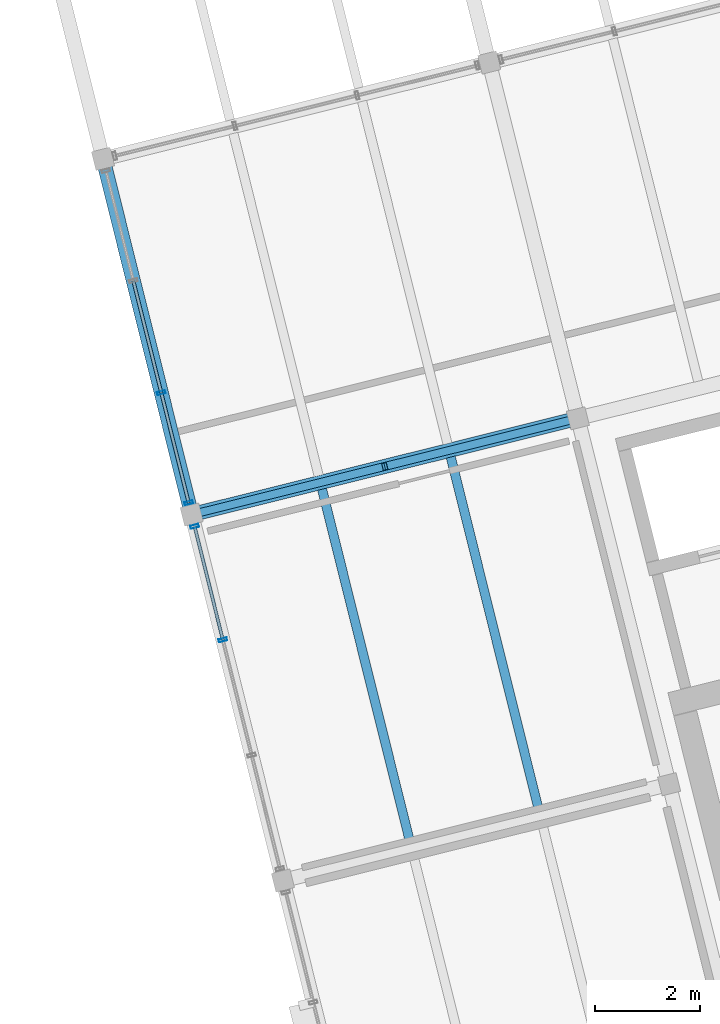
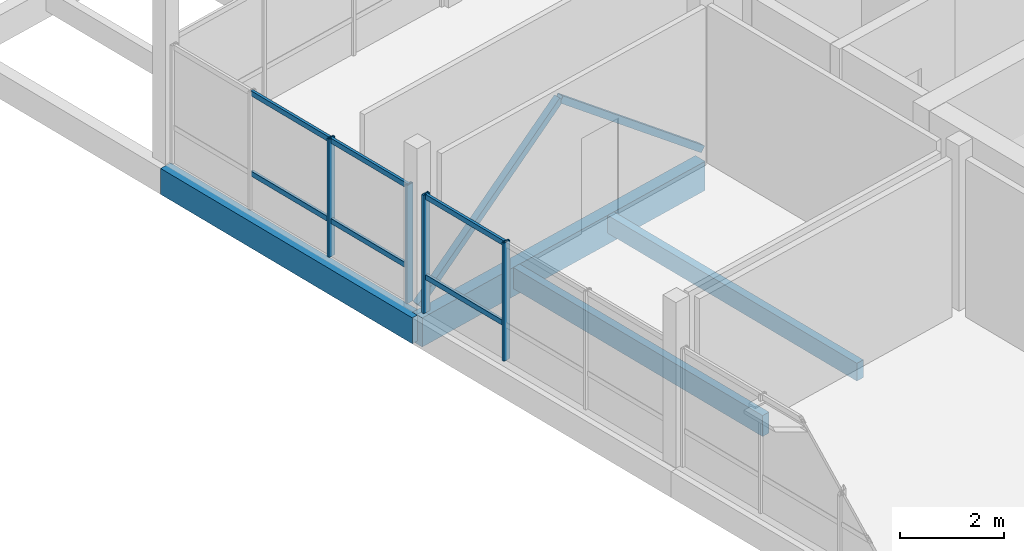
# One storey, part 8 of 28: 12 members, 4 beams, 2 elements without a shape of their own.
"""IFC4 building model written with IfcOpenShell, lengths in metres."""

from ifc_helpers import new_model, si_unit, direction, frame, origin, origin_2d, place, context, subcontext, project, spatial, rectangle, hollow_rectangle, extrude, material, layer, layer_set, material_profile, profile_set, type_object, element, aggregate, save


model = new_model("IFC4")

# Units and contexts
model_context = context("Model", 3, precision=1e-05, world=origin(), true_north=direction((0.0, 1.0)))
body_context = subcontext(model_context, "Body", "Model", "MODEL_VIEW")
ifc_project = project(units=[si_unit("LENGTHUNIT", "METRE"), si_unit("AREAUNIT", "SQUARE_METRE"), si_unit("VOLUMEUNIT", "CUBIC_METRE"), si_unit("PLANEANGLEUNIT", "RADIAN"), si_unit("MASSUNIT", "GRAM", prefix="KILO")], contexts=[model_context])

# Site, building, storey
site_placement = place(None, origin())
site = spatial("IfcSite", under=ifc_project, at=site_placement, CompositionType="ELEMENT")
building_placement = place(site_placement, origin())
building = spatial("IfcBuilding", under=site, at=building_placement, Name="Meriwether Solvik Hall", CompositionType="ELEMENT")
storey_placement = place(building_placement, frame((0.0, 0.0, 45.60009765625)))
storey = spatial("IfcBuildingStorey", under=building, at=storey_placement, Name="L11", CompositionType="ELEMENT", Elevation=45.60009765625)

# Beams
ifc_material_1 = material(Name="Glulam Douglas-Fir 24F-V8 GL28h", Category="wood")
ifc_material_profile_1 = material_profile(ifc_material_1, rectangle(XDim=0.27294921875, YDim=0.610107421875, at=origin_2d()), Name="GLB-273X610")
ifc_profile_set_1 = profile_set([ifc_material_profile_1], Name="Glulam Douglas-Fir 24F-V8 GL28h")
beam_type_1 = type_object("IfcBeamType", Name="BM-GL-273X610", PredefinedType="SPANDREL", material=ifc_profile_set_1)
beam_1_placement = place(storey_placement, frame((63.51953125, 61.576171875, -0.505126953125), z_axis=(-0.241911879182, 0.970298223594, 0.0), x_axis=(-0.970298223594, -0.241911879182, 0.0)))
element("IfcBeam", 1, at=beam_1_placement, inside=storey, type_object=beam_type_1, Name="Tower Girder T1:TD-TE (L11)", PredefinedType="SPANDREL", context=body_context, shape_type="SweptSolid", body=[
    extrude(rectangle(XDim=0.27294921875, YDim=0.610107421875, at=origin_2d()), origin(), (0.0, 0.0, 1.0), 7.0),
])
ifc_material_2 = material(Name="Glulam Douglas-Fir 24F-V8 GL28h", Category="wood")
ifc_material_profile_2 = material_profile(ifc_material_2, rectangle(XDim=0.27294921875, YDim=0.68505859375, at=origin_2d()), Name="GLB-273X685")
ifc_profile_set_2 = profile_set([ifc_material_profile_2], Name="Glulam Douglas-Fir 24F-V8 GL28h")
beam_type_2 = type_object("IfcBeamType", Name="BM-GL-273X685", PredefinedType="BEAM", material=ifc_profile_set_2)
beam_2_placement = place(storey_placement, frame((63.51953125, 61.576171875, -0.54248046875), z_axis=(0.970295366785, 0.241923337436, 0.0), x_axis=(-0.241923337436, 0.970295366785, 0.0)))
element("IfcBeam", 2, at=beam_2_placement, inside=storey, type_object=beam_type_2, Name="Tower Girder TD:T1-T2 (L11)", PredefinedType="BEAM", context=body_context, shape_type="SweptSolid", body=[
    extrude(rectangle(XDim=0.27294921875, YDim=0.68505859375, at=origin_2d()), origin(), (0.0, 0.0, 1.0), 7.60009765625),
])

# Curtain wall, members
ifc_material_3 = material(Name="Thermally Broken Anodised Aluminium 6063-T6 and Low-E Glass", Category="aluminium")
ifc_layer_1 = layer(ifc_material_3, 0.179931640625)
ifc_layer_set_1 = layer_set([ifc_layer_1], Name="Thermally Broken Anodised Aluminium 6063-T6 and Low-E Glass")
curtain_wall_type_1 = type_object("IfcCurtainWallType", Name="CW-UNIT-G", PredefinedType="USERDEFINED", material=ifc_layer_set_1)
curtain_wall_1_placement = place(storey_placement, origin())
curtain_wall_1 = element("IfcCurtainWall", 3, at=curtain_wall_1_placement, inside=storey, type_object=curtain_wall_type_1, Name="Curtain Wall E3_B2 (L11)", ObjectType="UNITISED CURTAIN WALL", PredefinedType="USERDEFINED")
ifc_material_4 = material(Name="Anodised Aluminium 6063-T6", Category="aluminium")
ifc_material_profile_3 = material_profile(ifc_material_4, hollow_rectangle(XDim=0.06005859375, YDim=0.159912109375, WallThickness=0.00390625, at=origin_2d()), Name="CWM-60X160")
ifc_profile_set_3 = profile_set([ifc_material_profile_3], Name="Anodised Aluminium 6063-T6")
member_type_1 = type_object("IfcMemberType", Name="CW-MUL-60X160", PredefinedType="MULLION", material=ifc_profile_set_3)
member_1_placement = place(storey_placement, frame((64.115966796875, 59.1845703125, 0.0), z_axis=(0.0, 0.0, 1.0), x_axis=(-0.241921897937, 0.970295725693, 0.0)))
member_1 = element("IfcMember", 4, at=member_1_placement, type_object=member_type_1, Name="Curtain Wall Mullion 3", PredefinedType="MULLION", context=body_context, shape_type="SweptSolid", body=[
    extrude(hollow_rectangle(XDim=0.06005859375, YDim=0.159912109375, WallThickness=0.00390625, at=origin_2d()), origin(), (0.0, 0.0, 1.0), 2.789794921875),
])
member_2_placement = place(storey_placement, frame((63.575927734375, 61.3505859375, 0.0), z_axis=(0.0, 0.0, 1.0), x_axis=(-0.241921897937, 0.970295725693, 0.0)))
member_2 = element("IfcMember", 5, at=member_2_placement, type_object=member_type_1, Name="Curtain Wall Mullion 4", PredefinedType="MULLION", context=body_context, shape_type="SweptSolid", body=[
    extrude(hollow_rectangle(XDim=0.06005859375, YDim=0.159912109375, WallThickness=0.00390625, at=origin_2d()), origin(), (0.0, 0.0, 1.0), 2.789794921875),
])

ifc_material_5 = material(Name="Thermally Broken Anodised Aluminium 6063-T6 and Low-E Glass", Category="aluminium")
ifc_layer_2 = layer(ifc_material_5, 0.179931640625)
ifc_layer_set_2 = layer_set([ifc_layer_2], Name="Thermally Broken Anodised Aluminium 6063-T6 and Low-E Glass")
curtain_wall_type_2 = type_object("IfcCurtainWallType", Name="CW-UNIT-A", PredefinedType="USERDEFINED", material=ifc_layer_set_2)
curtain_wall_2_placement = place(storey_placement, origin())
curtain_wall_2 = element("IfcCurtainWall", 6, at=curtain_wall_2_placement, inside=storey, type_object=curtain_wall_type_2, Name="Curtain Wall E3_B3 (L11)", ObjectType="UNITISED CURTAIN WALL", PredefinedType="USERDEFINED")
member_3_placement = place(storey_placement, frame((63.46337890625, 61.8017578125, 0.0), z_axis=(0.0, 0.0, 1.0), x_axis=(-0.241921804422, 0.970295749009, 0.0)))
member_3 = element("IfcMember", 7, at=member_3_placement, type_object=member_type_1, Name="Curtain Wall Mullion 1", PredefinedType="MULLION", context=body_context, shape_type="SweptSolid", body=[
    extrude(hollow_rectangle(XDim=0.06005859375, YDim=0.159912109375, WallThickness=0.00390625, at=origin_2d()), origin(), (0.0, 0.0, 1.0), 2.789794921875),
])
member_4_placement = place(storey_placement, frame((62.939453125, 63.903076171875, 0.0), z_axis=(0.0, 0.0, 1.0), x_axis=(-0.241921804422, 0.970295749009, 0.0)))
member_4 = element("IfcMember", 8, at=member_4_placement, type_object=member_type_1, Name="Curtain Wall Mullion 2", PredefinedType="MULLION", context=body_context, shape_type="SweptSolid", body=[
    extrude(hollow_rectangle(XDim=0.06005859375, YDim=0.159912109375, WallThickness=0.00390625, at=origin_2d()), origin(), (0.0, 0.0, 1.0), 2.789794921875),
])

# Member
ifc_material_6 = material(Name="Anodised Aluminium 6063-T6", Category="aluminium")
ifc_material_profile_4 = material_profile(ifc_material_6, hollow_rectangle(XDim=0.06005859375, YDim=0.1201171875, WallThickness=0.00390625, at=origin_2d()), Name="CWT-60X120")
ifc_profile_set_4 = profile_set([ifc_material_profile_4], Name="Anodised Aluminium 6063-T6")
member_type_2 = type_object("IfcMemberType", Name="CW-TRN-60X120", PredefinedType="USERDEFINED", material=ifc_profile_set_4)
member_5_placement = place(storey_placement, frame((64.115966796875, 59.1845703125, 0.8369140625), z_axis=(-0.241917978668, 0.970296702868, 0.0), x_axis=(-0.970296702868, -0.241917978668, 0.0)))
member_5 = element("IfcMember", 9, at=member_5_placement, type_object=member_type_2, Name="Curtain Wall Transom 3-sill", ObjectType="TRANSOM", PredefinedType="USERDEFINED", context=body_context, shape_type="SweptSolid", body=[
    extrude(hollow_rectangle(XDim=0.06005859375, YDim=0.1201171875, WallThickness=0.00390625, at=origin_2d()), origin(), (0.0, 0.0, 1.0), 2.232421875),
])

member_6_placement = place(storey_placement, frame((64.115966796875, 59.1845703125, 2.72998046875), z_axis=(-0.241917978668, 0.970296702868, 0.0), x_axis=(-0.970296702868, -0.241917978668, 0.0)))
member_6 = element("IfcMember", 10, at=member_6_placement, type_object=member_type_2, Name="Curtain Wall Transom 3-head", ObjectType="TRANSOM", PredefinedType="USERDEFINED", context=body_context, shape_type="SweptSolid", body=[
    extrude(hollow_rectangle(XDim=0.06005859375, YDim=0.1201171875, WallThickness=0.00390625, at=origin_2d()), origin(), (0.0, 0.0, 1.0), 2.232421875),
])

aggregate(curtain_wall_1, [member_1, member_2, member_5, member_6])

member_7_placement = place(storey_placement, frame((63.46337890625, 61.8017578125, 0.8369140625), z_axis=(-0.241925491414, 0.970294829732, 0.0), x_axis=(-0.970294829732, -0.241925491414, 0.0)))
member_7 = element("IfcMember", 11, at=member_7_placement, type_object=member_type_2, Name="Curtain Wall Transom 1-sill", ObjectType="TRANSOM", PredefinedType="USERDEFINED", context=body_context, shape_type="SweptSolid", body=[
    extrude(hollow_rectangle(XDim=0.06005859375, YDim=0.1201171875, WallThickness=0.00390625, at=origin_2d()), origin(), (0.0, 0.0, 1.0), 2.16552734375),
])

member_8_placement = place(storey_placement, frame((63.46337890625, 61.8017578125, 2.72998046875), z_axis=(-0.241925491414, 0.970294829732, 0.0), x_axis=(-0.970294829732, -0.241925491414, 0.0)))
member_8 = element("IfcMember", 12, at=member_8_placement, type_object=member_type_2, Name="Curtain Wall Transom 1-head", ObjectType="TRANSOM", PredefinedType="USERDEFINED", context=body_context, shape_type="SweptSolid", body=[
    extrude(hollow_rectangle(XDim=0.06005859375, YDim=0.1201171875, WallThickness=0.00390625, at=origin_2d()), origin(), (0.0, 0.0, 1.0), 2.16552734375),
])

member_9_placement = place(storey_placement, frame((62.939453125, 63.903076171875, 0.8369140625), z_axis=(-0.241962089235, 0.970285703993, 0.0), x_axis=(-0.970285703993, -0.241962089235, 0.0)))
member_9 = element("IfcMember", 13, at=member_9_placement, type_object=member_type_2, Name="Curtain Wall Transom 2-sill", ObjectType="TRANSOM", PredefinedType="USERDEFINED", context=body_context, shape_type="SweptSolid", body=[
    extrude(hollow_rectangle(XDim=0.06005859375, YDim=0.1201171875, WallThickness=0.00390625, at=origin_2d()), origin(), (0.0, 0.0, 1.0), 2.20361328125),
])

member_10_placement = place(storey_placement, frame((62.939453125, 63.903076171875, 2.72998046875), z_axis=(-0.241962089235, 0.970285703993, 0.0), x_axis=(-0.970285703993, -0.241962089235, 0.0)))
member_10 = element("IfcMember", 14, at=member_10_placement, type_object=member_type_2, Name="Curtain Wall Transom 2-head", ObjectType="TRANSOM", PredefinedType="USERDEFINED", context=body_context, shape_type="SweptSolid", body=[
    extrude(hollow_rectangle(XDim=0.06005859375, YDim=0.1201171875, WallThickness=0.00390625, at=origin_2d()), origin(), (0.0, 0.0, 1.0), 2.20361328125),
])

aggregate(curtain_wall_2, [member_3, member_4, member_7, member_8, member_9, member_10])

# Beams
ifc_material_7 = material(Name="Glulam Douglas-Fir 24F-V8 GL28h", Category="wood")
ifc_material_profile_5 = material_profile(ifc_material_7, rectangle(XDim=0.175048828125, YDim=0.419921875, at=origin_2d()), Name="GLJ-175X420")
ifc_profile_set_5 = profile_set([ifc_material_profile_5], Name="Glulam Douglas-Fir 24F-V8 GL28h")
beam_type_3 = type_object("IfcBeamType", Name="JST-GL-175X420", PredefinedType="JOIST", material=ifc_profile_set_5)
beam_3_placement = place(storey_placement, frame((70.145751953125, 55.943359375, -0.41015625), z_axis=(-0.241922788949, 0.970295503539, 0.0), x_axis=(-0.970295503539, -0.241922788949, 0.0)))
element("IfcBeam", 15, at=beam_3_placement, inside=storey, type_object=beam_type_3, Name="Glulam Floor Joist T1/TC-J2 (L11)", PredefinedType="JOIST", context=body_context, shape_type="SweptSolid", body=[
    extrude(rectangle(XDim=0.175048828125, YDim=0.419921875, at=origin_2d()), origin(), (0.0, 0.0, 1.0), 6.93701171875),
])
ifc_material_8 = material(Name="Glulam Douglas-Fir 24F-V8 GL28h", Category="wood")
ifc_material_profile_6 = material_profile(ifc_material_8, rectangle(XDim=0.175048828125, YDim=0.4951171875, at=origin_2d()), Name="GLJ-175X495")
ifc_profile_set_6 = profile_set([ifc_material_profile_6], Name="Glulam Douglas-Fir 24F-V8 GL28h")
beam_type_4 = type_object("IfcBeamType", Name="JST-GL-175X495", PredefinedType="JOIST", material=ifc_profile_set_6)
beam_4_placement = place(storey_placement, frame((67.687744140625, 55.33056640625, -0.447509765625), z_axis=(-0.241922788949, 0.970295503539, 0.0), x_axis=(-0.970295503539, -0.241922788949, 0.0)))
element("IfcBeam", 16, at=beam_4_placement, inside=storey, type_object=beam_type_4, Name="Glulam Floor Joist T1/TC-J1 (L11)", PredefinedType="JOIST", context=body_context, shape_type="SweptSolid", body=[
    extrude(rectangle(XDim=0.175048828125, YDim=0.4951171875, at=origin_2d()), origin(), (0.0, 0.0, 1.0), 6.93701171875),
])

# Members
ifc_material_9 = material(Name="Steel A500 Grade C", Category="steel")
ifc_material_profile_7 = material_profile(ifc_material_9, hollow_rectangle(XDim=0.152099609375, YDim=0.152099609375, WallThickness=0.009521484375, at=origin_2d()), Name="HSS152X152X9.5")
ifc_profile_set_7 = profile_set([ifc_material_profile_7], Name="Steel A500 Grade C")
member_type_3 = type_object("IfcMemberType", Name="MEM-BR-HSS152", PredefinedType="BRACE", material=ifc_profile_set_7)
member_11_placement = place(storey_placement, frame((63.51953125, 61.576171875, 0.0498046875), z_axis=(0.759126618737, 0.18929158751, 0.622812549346), x_axis=(-0.241946039438, 0.970289706222, 0.0)))
element("IfcMember", 17, at=member_11_placement, inside=storey, type_object=member_type_3, Name="Tower Chevron Brace L11-B2A", PredefinedType="BRACE", context=body_context, shape_type="SweptSolid", body=[
    extrude(hollow_rectangle(XDim=0.152099609375, YDim=0.152099609375, WallThickness=0.009521484375, at=origin_2d()), origin(), (0.0, 0.0, 1.0), 4.857177734375),
])
member_12_placement = place(storey_placement, frame((70.893798828125, 63.414794921875, 0.0498046875), z_axis=(-0.759112541754, -0.18925034563, 0.622842239761), x_axis=(0.241900633533, -0.970301027257, 0.0)))
element("IfcMember", 18, at=member_12_placement, inside=storey, type_object=member_type_3, Name="Tower Chevron Brace L11-B2B", PredefinedType="BRACE", context=body_context, shape_type="SweptSolid", body=[
    extrude(hollow_rectangle(XDim=0.152099609375, YDim=0.152099609375, WallThickness=0.009521484375, at=origin_2d()), origin(), (0.0, 0.0, 1.0), 4.85693359375),
])

save(model, "model.ifc")
